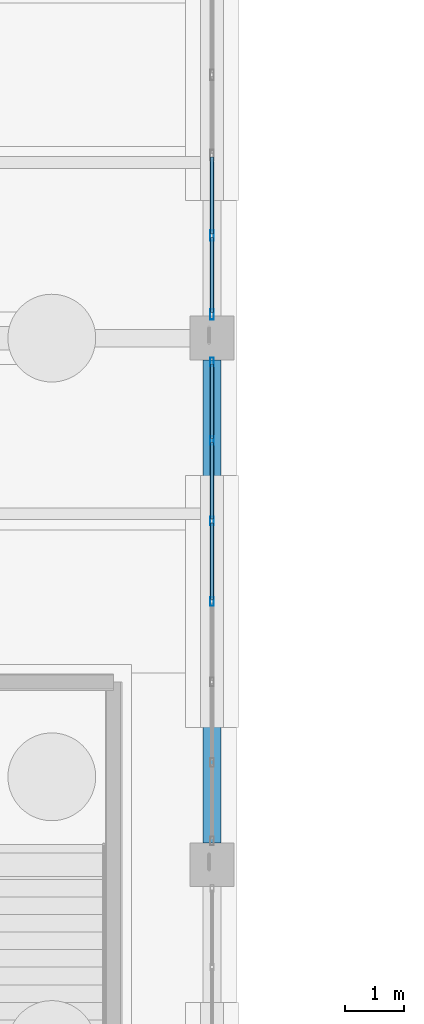
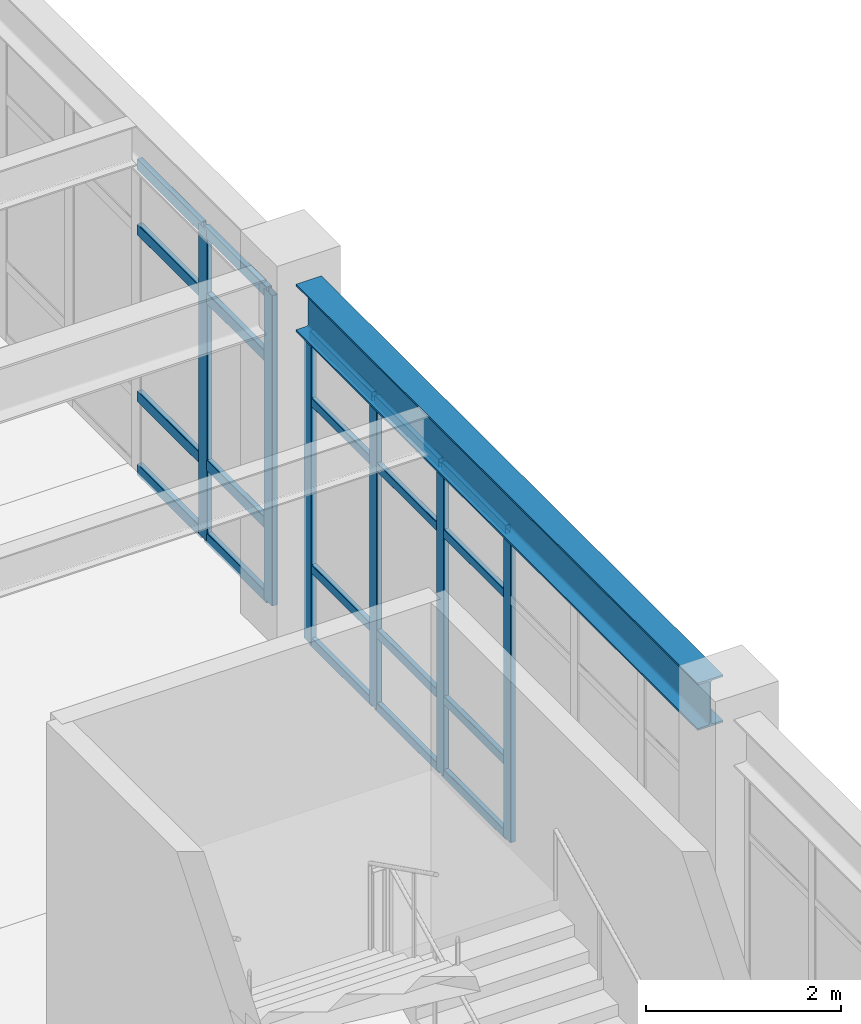
# One storey, part 53 of 139: 26 members, 1 beam, 2 elements without a shape of their own.
"""IFC4 building model written with IfcOpenShell, lengths in metres."""

from ifc_helpers import new_model, si_unit, direction, frame, origin, origin_2d, place, context, subcontext, project, spatial, hollow_rectangle, i_section, extrude, material, material_profile, profile_set, type_object, element, aggregate, save


model = new_model("IFC4")

# Units and contexts
model_context = context("Model", 3, precision=1e-05, world=origin(), true_north=direction((0.0, 1.0)))
body_context = subcontext(model_context, "Body", "Model", "MODEL_VIEW")
ifc_project = project(units=[si_unit("LENGTHUNIT", "METRE"), si_unit("AREAUNIT", "SQUARE_METRE"), si_unit("VOLUMEUNIT", "CUBIC_METRE"), si_unit("PLANEANGLEUNIT", "RADIAN"), si_unit("MASSUNIT", "GRAM", prefix="KILO")], contexts=[model_context])

# Site, building, storey
site_placement = place(None, origin())
site = spatial("IfcSite", under=ifc_project, at=site_placement, CompositionType="ELEMENT")
building_placement = place(site_placement, origin())
building = spatial("IfcBuilding", under=site, at=building_placement, Name="Canglan Escarpment Cableway Terminal", CompositionType="ELEMENT")
storey_placement = place(building_placement, frame((0.0, 0.0, 14.39990234375)))
storey = spatial("IfcBuildingStorey", under=building, at=storey_placement, Name="L03", CompositionType="ELEMENT", Elevation=14.39990234375)

# Beam
ifc_material_1 = material(Name="Steel Q355C", Category="steel")
ifc_material_profile_1 = material_profile(ifc_material_1, i_section(OverallWidth=0.302001953125, OverallDepth=0.593994140625, WebThickness=0.013916015625, FlangeThickness=0.02294921875, FilletRadius=0.028076171875, at=origin_2d()), Name="HM 594x302x14x23")
ifc_profile_set_1 = profile_set([ifc_material_profile_1], Name="Steel Q355C")
beam_type = type_object("IfcBeamType", Name="BM-HM594", PredefinedType="BEAM", material=ifc_profile_set_1)
beam_placement = place(storey_placement, frame((166.39990234375, 43.375, 4.203125), z_axis=(0.0, 1.0, 0.0), x_axis=(-1.0, 0.0, 0.0)))
element("IfcBeam", 1, at=beam_placement, inside=storey, type_object=beam_type, Name="Primary transverse girder B-07", PredefinedType="BEAM", context=body_context, shape_type="SweptSolid", body=[
    extrude(i_section(OverallWidth=0.302001953125, OverallDepth=0.593994140625, WebThickness=0.013916015625, FlangeThickness=0.02294921875, FilletRadius=0.028076171875, at=origin_2d()), origin(), (0.0, 0.0, 1.0), 8.25),
])

# Curtain wall, members
ifc_material_2 = material(Name="Anodized bronze aluminium and Low-E double glazing", Category="aluminium")
curtain_wall_type = type_object("IfcCurtainWallType", Name="CW-BAY-8250x3900", PredefinedType="NOTDEFINED", material=ifc_material_2)
curtain_wall_1_placement = place(storey_placement, origin())
curtain_wall_1 = element("IfcCurtainWall", 2, at=curtain_wall_1_placement, inside=storey, type_object=curtain_wall_type, Name="Classical bay-between-piers glazed curtain wall CW-62", PredefinedType="NOTDEFINED")
ifc_material_3 = material(Name="Thermally broken anodized aluminium 6063-T6", Category="aluminium")
ifc_material_profile_2 = material_profile(ifc_material_3, hollow_rectangle(XDim=0.06494140625, YDim=0.14990234375, WallThickness=0.00341796875, InnerFilletRadius=0.00341796875, OuterFilletRadius=0.007080078125, at=origin_2d()), Name="ALU-MULL 65x150x3.5")
ifc_profile_set_2 = profile_set([ifc_material_profile_2], Name="Thermally broken anodized aluminium 6063-T6")
member_type_1 = type_object("IfcMemberType", Name="CWM-02", PredefinedType="MULLION", material=ifc_profile_set_2)
member_1_placement = place(storey_placement, frame((166.39990234375, 47.5, 0.0), z_axis=(0.0, 0.0, 1.0), x_axis=(-1.0, 0.0, 0.0)))
member_1 = element("IfcMember", 3, at=member_1_placement, type_object=member_type_1, Name="CW-62 mullion 4", PredefinedType="MULLION", context=body_context, shape_type="SweptSolid", body=[
    extrude(hollow_rectangle(XDim=0.06494140625, YDim=0.14990234375, WallThickness=0.00341796875, InnerFilletRadius=0.00341796875, OuterFilletRadius=0.007080078125, at=origin_2d()), origin(), (0.0, 0.0, 1.0), 3.89111328125),
])
member_2_placement = place(storey_placement, frame((166.39990234375, 48.875, 0.0), z_axis=(0.0, 0.0, 1.0), x_axis=(-1.0, 0.0, 0.0)))
member_2 = element("IfcMember", 4, at=member_2_placement, type_object=member_type_1, Name="CW-62 mullion 5", PredefinedType="MULLION", context=body_context, shape_type="SweptSolid", body=[
    extrude(hollow_rectangle(XDim=0.06494140625, YDim=0.14990234375, WallThickness=0.00341796875, InnerFilletRadius=0.00341796875, OuterFilletRadius=0.007080078125, at=origin_2d()), origin(), (0.0, 0.0, 1.0), 3.89111328125),
])
member_3_placement = place(storey_placement, frame((166.39990234375, 50.25, 0.0), z_axis=(0.0, 0.0, 1.0), x_axis=(-1.0, 0.0, 0.0)))
member_3 = element("IfcMember", 5, at=member_3_placement, type_object=member_type_1, Name="CW-62 mullion 6", PredefinedType="MULLION", context=body_context, shape_type="SweptSolid", body=[
    extrude(hollow_rectangle(XDim=0.06494140625, YDim=0.14990234375, WallThickness=0.00341796875, InnerFilletRadius=0.00341796875, OuterFilletRadius=0.007080078125, at=origin_2d()), origin(), (0.0, 0.0, 1.0), 3.89111328125),
])
member_4_placement = place(storey_placement, frame((166.39990234375, 51.592529296875, 0.0), z_axis=(0.0, 0.0, 1.0), x_axis=(-1.0, 0.0, 0.0)))
member_4 = element("IfcMember", 6, at=member_4_placement, type_object=member_type_1, Name="CW-62 mullion 7", PredefinedType="MULLION", context=body_context, shape_type="SweptSolid", body=[
    extrude(hollow_rectangle(XDim=0.06494140625, YDim=0.14990234375, WallThickness=0.00341796875, InnerFilletRadius=0.00341796875, OuterFilletRadius=0.007080078125, at=origin_2d()), origin(), (0.0, 0.0, 1.0), 3.89111328125),
])

curtain_wall_2_placement = place(storey_placement, origin())
curtain_wall_2 = element("IfcCurtainWall", 7, at=curtain_wall_2_placement, inside=storey, type_object=curtain_wall_type, Name="Classical bay-between-piers glazed curtain wall CW-62", PredefinedType="NOTDEFINED")
ifc_material_profile_3 = material_profile(ifc_material_3, hollow_rectangle(XDim=0.06494140625, YDim=0.179931640625, WallThickness=0.00390625, InnerFilletRadius=0.00390625, OuterFilletRadius=0.008056640625, at=origin_2d()), Name="ALU-MULL 65x180x4")
ifc_profile_set_3 = profile_set([ifc_material_profile_3], Name="Thermally broken anodized aluminium 6063-T6")
member_type_2 = type_object("IfcMemberType", Name="CWM-03", PredefinedType="MULLION", material=ifc_profile_set_3)
member_5_placement = place(storey_placement, frame((166.39990234375, 52.407470703125, 0.0), z_axis=(0.0, 0.0, 1.0), x_axis=(-1.0, 0.0, 0.0)))
member_5 = element("IfcMember", 8, at=member_5_placement, type_object=member_type_2, Name="CW-62 mullion 1", PredefinedType="MULLION", context=body_context, shape_type="SweptSolid", body=[
    extrude(hollow_rectangle(XDim=0.06494140625, YDim=0.179931640625, WallThickness=0.00390625, InnerFilletRadius=0.00390625, OuterFilletRadius=0.008056640625, at=origin_2d()), origin(), (0.0, 0.0, 1.0), 3.89111328125),
])
member_6_placement = place(storey_placement, frame((166.39990234375, 53.75, 0.0), z_axis=(0.0, 0.0, 1.0), x_axis=(-1.0, 0.0, 0.0)))
member_6 = element("IfcMember", 9, at=member_6_placement, type_object=member_type_2, Name="CW-62 mullion 2", PredefinedType="MULLION", context=body_context, shape_type="SweptSolid", body=[
    extrude(hollow_rectangle(XDim=0.06494140625, YDim=0.179931640625, WallThickness=0.00390625, InnerFilletRadius=0.00390625, OuterFilletRadius=0.008056640625, at=origin_2d()), origin(), (0.0, 0.0, 1.0), 3.89111328125),
])

# Member
ifc_material_profile_4 = material_profile(ifc_material_3, hollow_rectangle(XDim=0.06005859375, YDim=0.110107421875, WallThickness=0.0029296875, InnerFilletRadius=0.0029296875, OuterFilletRadius=0.006103515625, at=origin_2d()), Name="ALU-TRAN 60x110x3")
ifc_profile_set_4 = profile_set([ifc_material_profile_4], Name="Thermally broken anodized aluminium 6063-T6")
member_type_3 = type_object("IfcMemberType", Name="CWT-02", PredefinedType="USERDEFINED", material=ifc_profile_set_4)
member_7_placement = place(storey_placement, frame((166.39990234375, 47.532470703125, 0.030029296875), z_axis=(0.0, 1.0, 0.0), x_axis=(-1.0, 0.0, 0.0)))
member_7 = element("IfcMember", 10, at=member_7_placement, type_object=member_type_3, Name="CW-62 transom 4.1", ObjectType="TRANSOM", PredefinedType="USERDEFINED", context=body_context, shape_type="SweptSolid", body=[
    extrude(hollow_rectangle(XDim=0.06005859375, YDim=0.110107421875, WallThickness=0.0029296875, InnerFilletRadius=0.0029296875, OuterFilletRadius=0.006103515625, at=origin_2d()), origin(), (0.0, 0.0, 1.0), 1.31005859375),
])

member_8_placement = place(storey_placement, frame((166.39990234375, 47.532470703125, 0.9501953125), z_axis=(0.0, 1.0, 0.0), x_axis=(-1.0, 0.0, 0.0)))
member_8 = element("IfcMember", 11, at=member_8_placement, type_object=member_type_3, Name="CW-62 transom 4.2", ObjectType="TRANSOM", PredefinedType="USERDEFINED", context=body_context, shape_type="SweptSolid", body=[
    extrude(hollow_rectangle(XDim=0.06005859375, YDim=0.110107421875, WallThickness=0.0029296875, InnerFilletRadius=0.0029296875, OuterFilletRadius=0.006103515625, at=origin_2d()), origin(), (0.0, 0.0, 1.0), 1.31005859375),
])

member_9_placement = place(storey_placement, frame((166.39990234375, 47.532470703125, 3.041015625), z_axis=(0.0, 1.0, 0.0), x_axis=(-1.0, 0.0, 0.0)))
member_9 = element("IfcMember", 12, at=member_9_placement, type_object=member_type_3, Name="CW-62 transom 4.3", ObjectType="TRANSOM", PredefinedType="USERDEFINED", context=body_context, shape_type="SweptSolid", body=[
    extrude(hollow_rectangle(XDim=0.06005859375, YDim=0.110107421875, WallThickness=0.0029296875, InnerFilletRadius=0.0029296875, OuterFilletRadius=0.006103515625, at=origin_2d()), origin(), (0.0, 0.0, 1.0), 1.31005859375),
])

member_10_placement = place(storey_placement, frame((166.39990234375, 47.532470703125, 3.861083984375), z_axis=(0.0, 1.0, 0.0), x_axis=(-1.0, 0.0, 0.0)))
member_10 = element("IfcMember", 13, at=member_10_placement, type_object=member_type_3, Name="CW-62 transom 4.4", ObjectType="TRANSOM", PredefinedType="USERDEFINED", context=body_context, shape_type="SweptSolid", body=[
    extrude(hollow_rectangle(XDim=0.06005859375, YDim=0.110107421875, WallThickness=0.0029296875, InnerFilletRadius=0.0029296875, OuterFilletRadius=0.006103515625, at=origin_2d()), origin(), (0.0, 0.0, 1.0), 1.31005859375),
])

member_11_placement = place(storey_placement, frame((166.39990234375, 48.907470703125, 0.030029296875), z_axis=(0.0, 1.0, 0.0), x_axis=(-1.0, 0.0, 0.0)))
member_11 = element("IfcMember", 14, at=member_11_placement, type_object=member_type_3, Name="CW-62 transom 5.1", ObjectType="TRANSOM", PredefinedType="USERDEFINED", context=body_context, shape_type="SweptSolid", body=[
    extrude(hollow_rectangle(XDim=0.06005859375, YDim=0.110107421875, WallThickness=0.0029296875, InnerFilletRadius=0.0029296875, OuterFilletRadius=0.006103515625, at=origin_2d()), origin(), (0.0, 0.0, 1.0), 1.31005859375),
])

member_12_placement = place(storey_placement, frame((166.39990234375, 48.907470703125, 0.9501953125), z_axis=(0.0, 1.0, 0.0), x_axis=(-1.0, 0.0, 0.0)))
member_12 = element("IfcMember", 15, at=member_12_placement, type_object=member_type_3, Name="CW-62 transom 5.2", ObjectType="TRANSOM", PredefinedType="USERDEFINED", context=body_context, shape_type="SweptSolid", body=[
    extrude(hollow_rectangle(XDim=0.06005859375, YDim=0.110107421875, WallThickness=0.0029296875, InnerFilletRadius=0.0029296875, OuterFilletRadius=0.006103515625, at=origin_2d()), origin(), (0.0, 0.0, 1.0), 1.31005859375),
])

member_13_placement = place(storey_placement, frame((166.39990234375, 48.907470703125, 3.041015625), z_axis=(0.0, 1.0, 0.0), x_axis=(-1.0, 0.0, 0.0)))
member_13 = element("IfcMember", 16, at=member_13_placement, type_object=member_type_3, Name="CW-62 transom 5.3", ObjectType="TRANSOM", PredefinedType="USERDEFINED", context=body_context, shape_type="SweptSolid", body=[
    extrude(hollow_rectangle(XDim=0.06005859375, YDim=0.110107421875, WallThickness=0.0029296875, InnerFilletRadius=0.0029296875, OuterFilletRadius=0.006103515625, at=origin_2d()), origin(), (0.0, 0.0, 1.0), 1.31005859375),
])

member_14_placement = place(storey_placement, frame((166.39990234375, 48.907470703125, 3.861083984375), z_axis=(0.0, 1.0, 0.0), x_axis=(-1.0, 0.0, 0.0)))
member_14 = element("IfcMember", 17, at=member_14_placement, type_object=member_type_3, Name="CW-62 transom 5.4", ObjectType="TRANSOM", PredefinedType="USERDEFINED", context=body_context, shape_type="SweptSolid", body=[
    extrude(hollow_rectangle(XDim=0.06005859375, YDim=0.110107421875, WallThickness=0.0029296875, InnerFilletRadius=0.0029296875, OuterFilletRadius=0.006103515625, at=origin_2d()), origin(), (0.0, 0.0, 1.0), 1.31005859375),
])

member_15_placement = place(storey_placement, frame((166.39990234375, 50.282470703125, 0.030029296875), z_axis=(0.0, 1.0, 0.0), x_axis=(-1.0, 0.0, 0.0)))
member_15 = element("IfcMember", 18, at=member_15_placement, type_object=member_type_3, Name="CW-62 transom 6.1", ObjectType="TRANSOM", PredefinedType="USERDEFINED", context=body_context, shape_type="SweptSolid", body=[
    extrude(hollow_rectangle(XDim=0.06005859375, YDim=0.110107421875, WallThickness=0.0029296875, InnerFilletRadius=0.0029296875, OuterFilletRadius=0.006103515625, at=origin_2d()), origin(), (0.0, 0.0, 1.0), 1.277587890625),
])

member_16_placement = place(storey_placement, frame((166.39990234375, 50.282470703125, 0.9501953125), z_axis=(0.0, 1.0, 0.0), x_axis=(-1.0, 0.0, 0.0)))
member_16 = element("IfcMember", 19, at=member_16_placement, type_object=member_type_3, Name="CW-62 transom 6.2", ObjectType="TRANSOM", PredefinedType="USERDEFINED", context=body_context, shape_type="SweptSolid", body=[
    extrude(hollow_rectangle(XDim=0.06005859375, YDim=0.110107421875, WallThickness=0.0029296875, InnerFilletRadius=0.0029296875, OuterFilletRadius=0.006103515625, at=origin_2d()), origin(), (0.0, 0.0, 1.0), 1.277587890625),
])

member_17_placement = place(storey_placement, frame((166.39990234375, 50.282470703125, 3.041015625), z_axis=(0.0, 1.0, 0.0), x_axis=(-1.0, 0.0, 0.0)))
member_17 = element("IfcMember", 20, at=member_17_placement, type_object=member_type_3, Name="CW-62 transom 6.3", ObjectType="TRANSOM", PredefinedType="USERDEFINED", context=body_context, shape_type="SweptSolid", body=[
    extrude(hollow_rectangle(XDim=0.06005859375, YDim=0.110107421875, WallThickness=0.0029296875, InnerFilletRadius=0.0029296875, OuterFilletRadius=0.006103515625, at=origin_2d()), origin(), (0.0, 0.0, 1.0), 1.277587890625),
])

member_18_placement = place(storey_placement, frame((166.39990234375, 50.282470703125, 3.861083984375), z_axis=(0.0, 1.0, 0.0), x_axis=(-1.0, 0.0, 0.0)))
member_18 = element("IfcMember", 21, at=member_18_placement, type_object=member_type_3, Name="CW-62 transom 6.4", ObjectType="TRANSOM", PredefinedType="USERDEFINED", context=body_context, shape_type="SweptSolid", body=[
    extrude(hollow_rectangle(XDim=0.06005859375, YDim=0.110107421875, WallThickness=0.0029296875, InnerFilletRadius=0.0029296875, OuterFilletRadius=0.006103515625, at=origin_2d()), origin(), (0.0, 0.0, 1.0), 1.277587890625),
])

aggregate(curtain_wall_1, [member_1, member_2, member_3, member_4, member_7, member_8, member_9, member_10, member_11, member_12, member_13, member_14, member_15, member_16, member_17, member_18])

ifc_material_profile_5 = material_profile(ifc_material_3, hollow_rectangle(XDim=0.06494140625, YDim=0.139892578125, WallThickness=0.00341796875, InnerFilletRadius=0.00341796875, OuterFilletRadius=0.007080078125, at=origin_2d()), Name="ALU-TRAN 65x140x3.5")
ifc_profile_set_5 = profile_set([ifc_material_profile_5], Name="Thermally broken anodized aluminium 6063-T6")
member_type_4 = type_object("IfcMemberType", Name="CWT-03", PredefinedType="USERDEFINED", material=ifc_profile_set_5)
member_19_placement = place(storey_placement, frame((166.39990234375, 52.43994140625, 0.03271484375), z_axis=(0.0, 1.0, 0.0), x_axis=(-1.0, 0.0, 0.0)))
member_19 = element("IfcMember", 22, at=member_19_placement, type_object=member_type_4, Name="CW-62 transom 1.1", ObjectType="TRANSOM", PredefinedType="USERDEFINED", context=body_context, shape_type="SweptSolid", body=[
    extrude(hollow_rectangle(XDim=0.06494140625, YDim=0.139892578125, WallThickness=0.00341796875, InnerFilletRadius=0.00341796875, OuterFilletRadius=0.007080078125, at=origin_2d()), origin(), (0.0, 0.0, 1.0), 1.277587890625),
])

member_20_placement = place(storey_placement, frame((166.39990234375, 52.43994140625, 0.9501953125), z_axis=(0.0, 1.0, 0.0), x_axis=(-1.0, 0.0, 0.0)))
member_20 = element("IfcMember", 23, at=member_20_placement, type_object=member_type_4, Name="CW-62 transom 1.2", ObjectType="TRANSOM", PredefinedType="USERDEFINED", context=body_context, shape_type="SweptSolid", body=[
    extrude(hollow_rectangle(XDim=0.06494140625, YDim=0.139892578125, WallThickness=0.00341796875, InnerFilletRadius=0.00341796875, OuterFilletRadius=0.007080078125, at=origin_2d()), origin(), (0.0, 0.0, 1.0), 1.277587890625),
])

member_21_placement = place(storey_placement, frame((166.39990234375, 52.43994140625, 3.041015625), z_axis=(0.0, 1.0, 0.0), x_axis=(-1.0, 0.0, 0.0)))
member_21 = element("IfcMember", 24, at=member_21_placement, type_object=member_type_4, Name="CW-62 transom 1.3", ObjectType="TRANSOM", PredefinedType="USERDEFINED", context=body_context, shape_type="SweptSolid", body=[
    extrude(hollow_rectangle(XDim=0.06494140625, YDim=0.139892578125, WallThickness=0.00341796875, InnerFilletRadius=0.00341796875, OuterFilletRadius=0.007080078125, at=origin_2d()), origin(), (0.0, 0.0, 1.0), 1.277587890625),
])

member_22_placement = place(storey_placement, frame((166.39990234375, 52.43994140625, 3.858642578125), z_axis=(0.0, 1.0, 0.0), x_axis=(-1.0, 0.0, 0.0)))
member_22 = element("IfcMember", 25, at=member_22_placement, type_object=member_type_4, Name="CW-62 transom 1.4", ObjectType="TRANSOM", PredefinedType="USERDEFINED", context=body_context, shape_type="SweptSolid", body=[
    extrude(hollow_rectangle(XDim=0.06494140625, YDim=0.139892578125, WallThickness=0.00341796875, InnerFilletRadius=0.00341796875, OuterFilletRadius=0.007080078125, at=origin_2d()), origin(), (0.0, 0.0, 1.0), 1.277587890625),
])

member_23_placement = place(storey_placement, frame((166.39990234375, 53.782470703125, 0.03271484375), z_axis=(0.0, 1.0, 0.0), x_axis=(-1.0, 0.0, 0.0)))
member_23 = element("IfcMember", 26, at=member_23_placement, type_object=member_type_4, Name="CW-62 transom 2.1", ObjectType="TRANSOM", PredefinedType="USERDEFINED", context=body_context, shape_type="SweptSolid", body=[
    extrude(hollow_rectangle(XDim=0.06494140625, YDim=0.139892578125, WallThickness=0.00341796875, InnerFilletRadius=0.00341796875, OuterFilletRadius=0.007080078125, at=origin_2d()), origin(), (0.0, 0.0, 1.0), 1.31005859375),
])

member_24_placement = place(storey_placement, frame((166.39990234375, 53.782470703125, 0.9501953125), z_axis=(0.0, 1.0, 0.0), x_axis=(-1.0, 0.0, 0.0)))
member_24 = element("IfcMember", 27, at=member_24_placement, type_object=member_type_4, Name="CW-62 transom 2.2", ObjectType="TRANSOM", PredefinedType="USERDEFINED", context=body_context, shape_type="SweptSolid", body=[
    extrude(hollow_rectangle(XDim=0.06494140625, YDim=0.139892578125, WallThickness=0.00341796875, InnerFilletRadius=0.00341796875, OuterFilletRadius=0.007080078125, at=origin_2d()), origin(), (0.0, 0.0, 1.0), 1.31005859375),
])

member_25_placement = place(storey_placement, frame((166.39990234375, 53.782470703125, 3.041015625), z_axis=(0.0, 1.0, 0.0), x_axis=(-1.0, 0.0, 0.0)))
member_25 = element("IfcMember", 28, at=member_25_placement, type_object=member_type_4, Name="CW-62 transom 2.3", ObjectType="TRANSOM", PredefinedType="USERDEFINED", context=body_context, shape_type="SweptSolid", body=[
    extrude(hollow_rectangle(XDim=0.06494140625, YDim=0.139892578125, WallThickness=0.00341796875, InnerFilletRadius=0.00341796875, OuterFilletRadius=0.007080078125, at=origin_2d()), origin(), (0.0, 0.0, 1.0), 1.31005859375),
])

member_26_placement = place(storey_placement, frame((166.39990234375, 53.782470703125, 3.858642578125), z_axis=(0.0, 1.0, 0.0), x_axis=(-1.0, 0.0, 0.0)))
member_26 = element("IfcMember", 29, at=member_26_placement, type_object=member_type_4, Name="CW-62 transom 2.4", ObjectType="TRANSOM", PredefinedType="USERDEFINED", context=body_context, shape_type="SweptSolid", body=[
    extrude(hollow_rectangle(XDim=0.06494140625, YDim=0.139892578125, WallThickness=0.00341796875, InnerFilletRadius=0.00341796875, OuterFilletRadius=0.007080078125, at=origin_2d()), origin(), (0.0, 0.0, 1.0), 1.31005859375),
])

aggregate(curtain_wall_2, [member_5, member_6, member_19, member_20, member_21, member_22, member_23, member_24, member_25, member_26])

save(model, "model.ifc")
